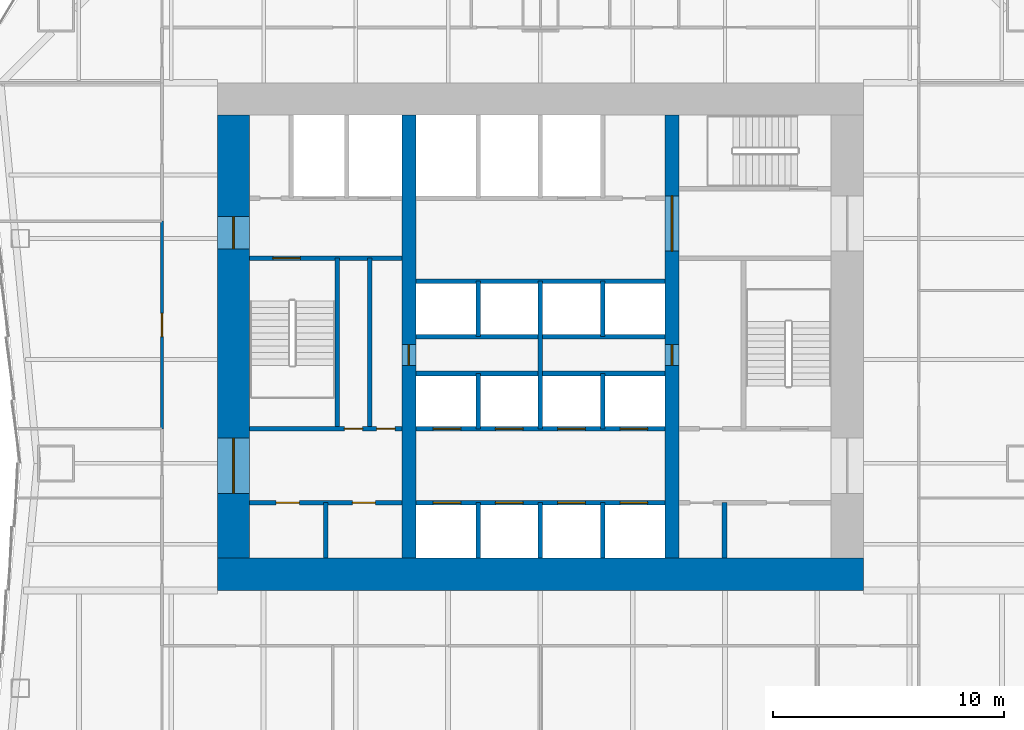
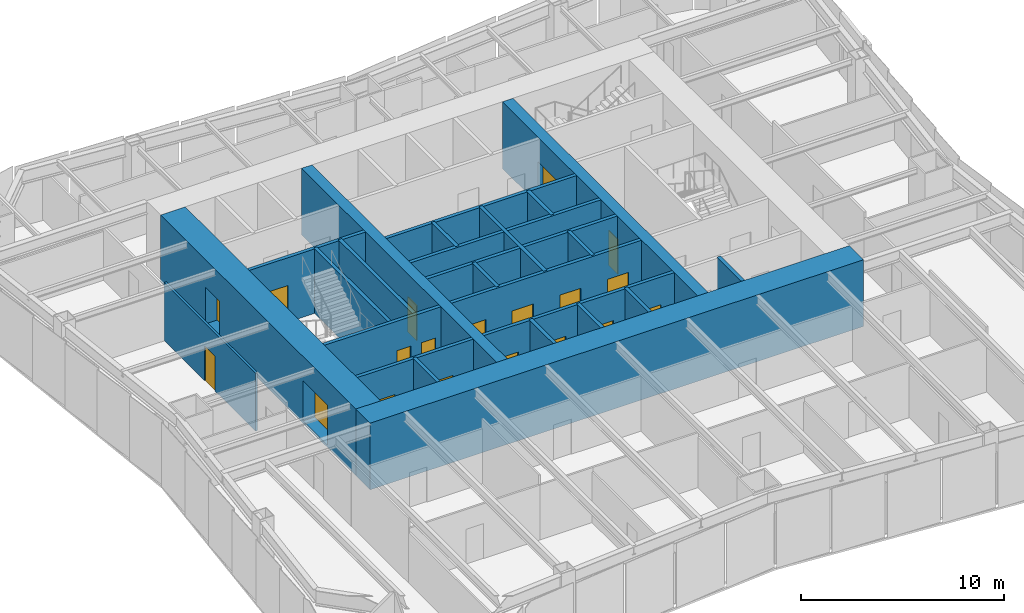
# One storey, part 4 of 8: 25 walls, 19 doors, 19 openings.
"""IFC4 building model written with IfcOpenShell, lengths in metres."""

from ifc_helpers import new_model, si_unit, direction, frame, frame_2d, origin, place, context, subcontext, project, spatial, rectangle, extrude, material, layer, layer_set, type_object, element, fill, save


model = new_model("IFC4")

# Units and contexts
model_context = context("Model", 3, precision=1e-05, world=origin(), true_north=direction((0.0, 1.0)))
body_context = subcontext(model_context, "Body", "Model", "MODEL_VIEW")
ifc_project = project(units=[si_unit("LENGTHUNIT", "METRE"), si_unit("AREAUNIT", "SQUARE_METRE"), si_unit("VOLUMEUNIT", "CUBIC_METRE"), si_unit("PLANEANGLEUNIT", "RADIAN"), si_unit("MASSUNIT", "GRAM", prefix="KILO")], contexts=[model_context])

# Site, building, storey
site_placement = place(None, origin())
site = spatial("IfcSite", under=ifc_project, at=site_placement, CompositionType="ELEMENT")
building_placement = place(site_placement, origin())
building = spatial("IfcBuilding", under=site, at=building_placement, Name="Verdant Reach Tower", CompositionType="ELEMENT")
storey_placement = place(building_placement, frame((0.0, 0.0, 18.0)))
storey = spatial("IfcBuildingStorey", under=building, at=storey_placement, Name="L03", CompositionType="ELEMENT", Elevation=18.0)

# Wall, openings, doors
ifc_material_1 = material(Name="Gypsum board on steel studs", Category="steel")
ifc_layer_1 = layer(ifc_material_1, 0.199951171875)
ifc_layer_set_1 = layer_set([ifc_layer_1], Name="CO-WALL-ROOM")
wall_type_1 = type_object("IfcWallType", Name="CO-WALL-ROOM", PredefinedType="PARTITIONING", material=ifc_layer_set_1)
wall_1_placement = place(storey_placement, frame((-12.60009765625, 20.800048828125, 0.0), z_axis=(0.0, 0.0, 1.0), x_axis=(1.0, 0.0, 0.0)))
wall_1 = element("IfcWall", 1, at=wall_1_placement, inside=storey, type_object=wall_type_1, Name="Core partition, L03", PredefinedType="PARTITIONING", context=body_context, shape_type="SweptSolid", body=[
    extrude(rectangle(XDim=6.60009765625, YDim=0.199951171875, at=frame_2d((3.300048828125, 0.0))), origin(), (0.0, 0.0, 1.0), 3.8701171875),
])
opening_1_placement = place(wall_1_placement, frame((1.14990234375, 0.0, 0.0)))
opening_1 = element("IfcOpeningElement", 2, at=opening_1_placement, cuts=wall_1, Name="Opening CD", PredefinedType="OPENING", context=body_context, shape_type="SweptSolid", body=[
    extrude(rectangle(XDim=1.0, YDim=2.10009765625, at=frame_2d((0.5, 1.050048828125))), frame((0.0, 0.10986328125, 0.0), z_axis=(0.0, -1.0, 0.0), x_axis=(1.0, 0.0, 0.0)), (0.0, 0.0, 1.0), 0.219970703125),
])
opening_2_placement = place(wall_1_placement, frame((4.449951171875, 0.0, 0.0)))
opening_2 = element("IfcOpeningElement", 3, at=opening_2_placement, cuts=wall_1, Name="Opening CD", PredefinedType="OPENING", context=body_context, shape_type="SweptSolid", body=[
    extrude(rectangle(XDim=1.0, YDim=2.10009765625, at=frame_2d((0.5, 1.050048828125))), frame((0.0, 0.10986328125, 0.0), z_axis=(0.0, -1.0, 0.0), x_axis=(1.0, 0.0, 0.0)), (0.0, 0.0, 1.0), 0.219970703125),
])
ifc_material_2 = material(Name="Timber", Category="wood")
door_type_1 = type_object("IfcDoorType", Name="CO-DOOR-ROOM", OperationType="NOTDEFINED", PredefinedType="DOOR", material=ifc_material_2)
door_1_placement = place(opening_1_placement, origin())
door_1 = element("IfcDoor", 4, at=door_1_placement, inside=storey, type_object=door_type_1, Name="Core room door, L03", OperationType="SINGLE_SWING_LEFT", OverallHeight=2.10009765625, OverallWidth=1.0, PredefinedType="DOOR", context=body_context, shape_type="SweptSolid", body=[
    extrude(rectangle(XDim=1.0, YDim=2.10009765625, at=frame_2d((0.5, 1.050048828125))), frame((0.0, 0.02490234375, 0.0), z_axis=(0.0, -1.0, 0.0), x_axis=(1.0, 0.0, 0.0)), (0.0, 0.0, 1.0), 0.050048828125),
])
fill(opening_1, door_1)
door_2_placement = place(opening_2_placement, origin())
door_2 = element("IfcDoor", 5, at=door_2_placement, inside=storey, type_object=door_type_1, Name="Core room door, L03", OperationType="SINGLE_SWING_LEFT", OverallHeight=2.10009765625, OverallWidth=1.0, PredefinedType="DOOR", context=body_context, shape_type="SweptSolid", body=[
    extrude(rectangle(XDim=1.0, YDim=2.10009765625, at=frame_2d((0.5, 1.050048828125))), frame((0.0, 0.02490234375, 0.0), z_axis=(0.0, -1.0, 0.0), x_axis=(1.0, 0.0, 0.0)), (0.0, 0.0, 1.0), 0.050048828125),
])
fill(opening_2, door_2)

# Walls
wall_2_placement = place(storey_placement, frame((-9.300048828125, 18.39990234375, 0.0), z_axis=(0.0, 0.0, 1.0), x_axis=(0.0, 1.0, 0.0)))
element("IfcWall", 6, at=wall_2_placement, inside=storey, type_object=wall_type_1, Name="Core partition, L03", PredefinedType="PARTITIONING", context=body_context, shape_type="SweptSolid", body=[
    extrude(rectangle(XDim=2.400146484375, YDim=0.199951171875, at=frame_2d((1.2001953125, 0.0))), origin(), (0.0, 0.0, 1.0), 3.8701171875),
])
wall_3_placement = place(storey_placement, frame((-7.39990234375, 24.0, 0.0), z_axis=(0.0, 0.0, 1.0), x_axis=(0.0, 1.0, 0.0)))
element("IfcWall", 7, at=wall_3_placement, inside=storey, type_object=wall_type_1, Name="Core partition, L03", PredefinedType="PARTITIONING", context=body_context, shape_type="SweptSolid", body=[
    extrude(rectangle(XDim=7.39990234375, YDim=0.199951171875, at=frame_2d((3.699951171875, 0.0))), origin(), (0.0, 0.0, 1.0), 3.8701171875),
])
wall_4_placement = place(storey_placement, frame((7.97998046875, 18.39990234375, 0.0), z_axis=(0.0, 0.0, 1.0), x_axis=(0.0, 1.0, 0.0)))
element("IfcWall", 8, at=wall_4_placement, inside=storey, type_object=wall_type_1, Name="Core partition, L03", PredefinedType="PARTITIONING", context=body_context, shape_type="SweptSolid", body=[
    extrude(rectangle(XDim=2.400146484375, YDim=0.199951171875, at=frame_2d((1.2001953125, 0.0))), origin(), (0.0, 0.0, 1.0), 3.8701171875),
])

# Wall, openings, doors
ifc_material_3 = material(Name="Concrete C40/50", Category="concrete")
ifc_layer_2 = layer(ifc_material_3, 0.199951171875)
ifc_layer_set_2 = layer_set([ifc_layer_2], Name="CO-WALL-SHAFT")
wall_type_2 = type_object("IfcWallType", Name="CO-WALL-SHAFT", PredefinedType="PARTITIONING", material=ifc_layer_set_2)
wall_5_placement = place(storey_placement, frame((-5.39990234375, 20.800048828125, 0.0), z_axis=(0.0, 0.0, 1.0), x_axis=(1.0, 0.0, 0.0)))
wall_5 = element("IfcWall", 9, at=wall_5_placement, inside=storey, type_object=wall_type_2, Name="Lift shaft wall, L03", PredefinedType="PARTITIONING", context=body_context, shape_type="SweptSolid", body=[
    extrude(rectangle(XDim=10.7998046875, YDim=0.199951171875, at=frame_2d((5.39990234375, 0.0))), origin(), (0.0, 0.0, 1.0), 3.8701171875),
])
opening_3_placement = place(wall_5_placement, frame((0.75, 0.0, 0.0)))
opening_3 = element("IfcOpeningElement", 10, at=opening_3_placement, cuts=wall_5, Name="Opening LD-A1", PredefinedType="OPENING", context=body_context, shape_type="SweptSolid", body=[
    extrude(rectangle(XDim=1.199951171875, YDim=2.199951171875, at=frame_2d((0.60009765625, 1.10009765625))), frame((0.0, 0.10986328125, 0.0), z_axis=(0.0, -1.0, 0.0), x_axis=(1.0, 0.0, 0.0)), (0.0, 0.0, 1.0), 0.219970703125),
])
opening_4_placement = place(wall_5_placement, frame((3.449951171875, 0.0, 0.0)))
opening_4 = element("IfcOpeningElement", 11, at=opening_4_placement, cuts=wall_5, Name="Opening LD-A2", PredefinedType="OPENING", context=body_context, shape_type="SweptSolid", body=[
    extrude(rectangle(XDim=1.199951171875, YDim=2.199951171875, at=frame_2d((0.60009765625, 1.10009765625))), frame((0.0, 0.10986328125, 0.0), z_axis=(0.0, -1.0, 0.0), x_axis=(1.0, 0.0, 0.0)), (0.0, 0.0, 1.0), 0.219970703125),
])
opening_5_placement = place(wall_5_placement, frame((6.14990234375, 0.0, 0.0)))
opening_5 = element("IfcOpeningElement", 12, at=opening_5_placement, cuts=wall_5, Name="Opening LD-A3", PredefinedType="OPENING", context=body_context, shape_type="SweptSolid", body=[
    extrude(rectangle(XDim=1.199951171875, YDim=2.199951171875, at=frame_2d((0.60009765625, 1.10009765625))), frame((0.0, 0.10986328125, 0.0), z_axis=(0.0, -1.0, 0.0), x_axis=(1.0, 0.0, 0.0)), (0.0, 0.0, 1.0), 0.219970703125),
])
opening_6_placement = place(wall_5_placement, frame((8.85009765625, 0.0, 0.0)))
opening_6 = element("IfcOpeningElement", 13, at=opening_6_placement, cuts=wall_5, Name="Opening LD-A4", PredefinedType="OPENING", context=body_context, shape_type="SweptSolid", body=[
    extrude(rectangle(XDim=1.199951171875, YDim=2.199951171875, at=frame_2d((0.60009765625, 1.10009765625))), frame((0.0, 0.10986328125, 0.0), z_axis=(0.0, -1.0, 0.0), x_axis=(1.0, 0.0, 0.0)), (0.0, 0.0, 1.0), 0.219970703125),
])
ifc_material_4 = material(Name="Stainless steel", Category="steel")
door_type_2 = type_object("IfcDoorType", Name="CO-DOOR-LANDING", OperationType="SLIDING_TO_LEFT", PredefinedType="DOOR", material=ifc_material_4)
door_3_placement = place(opening_3_placement, origin())
door_3 = element("IfcDoor", 14, at=door_3_placement, inside=storey, type_object=door_type_2, Name="Landing door A1, L03", OperationType="SLIDING_TO_LEFT", OverallHeight=2.199951171875, OverallWidth=1.199951171875, PredefinedType="DOOR", context=body_context, shape_type="SweptSolid", body=[
    extrude(rectangle(XDim=1.199951171875, YDim=2.199951171875, at=frame_2d((0.60009765625, 1.10009765625))), frame((0.0, 0.02490234375, 0.0), z_axis=(0.0, -1.0, 0.0), x_axis=(1.0, 0.0, 0.0)), (0.0, 0.0, 1.0), 0.050048828125),
])
fill(opening_3, door_3)
door_4_placement = place(opening_4_placement, origin())
door_4 = element("IfcDoor", 15, at=door_4_placement, inside=storey, type_object=door_type_2, Name="Landing door A2, L03", OperationType="SLIDING_TO_LEFT", OverallHeight=2.199951171875, OverallWidth=1.199951171875, PredefinedType="DOOR", context=body_context, shape_type="SweptSolid", body=[
    extrude(rectangle(XDim=1.199951171875, YDim=2.199951171875, at=frame_2d((0.60009765625, 1.10009765625))), frame((0.0, 0.02490234375, 0.0), z_axis=(0.0, -1.0, 0.0), x_axis=(1.0, 0.0, 0.0)), (0.0, 0.0, 1.0), 0.050048828125),
])
fill(opening_4, door_4)
door_5_placement = place(opening_5_placement, origin())
door_5 = element("IfcDoor", 16, at=door_5_placement, inside=storey, type_object=door_type_2, Name="Landing door A3, L03", OperationType="SLIDING_TO_LEFT", OverallHeight=2.199951171875, OverallWidth=1.199951171875, PredefinedType="DOOR", context=body_context, shape_type="SweptSolid", body=[
    extrude(rectangle(XDim=1.199951171875, YDim=2.199951171875, at=frame_2d((0.60009765625, 1.10009765625))), frame((0.0, 0.02490234375, 0.0), z_axis=(0.0, -1.0, 0.0), x_axis=(1.0, 0.0, 0.0)), (0.0, 0.0, 1.0), 0.050048828125),
])
fill(opening_5, door_5)
door_6_placement = place(opening_6_placement, origin())
door_6 = element("IfcDoor", 17, at=door_6_placement, inside=storey, type_object=door_type_2, Name="Landing door A4, L03", OperationType="SLIDING_TO_LEFT", OverallHeight=2.199951171875, OverallWidth=1.199951171875, PredefinedType="DOOR", context=body_context, shape_type="SweptSolid", body=[
    extrude(rectangle(XDim=1.199951171875, YDim=2.199951171875, at=frame_2d((0.60009765625, 1.10009765625))), frame((0.0, 0.02490234375, 0.0), z_axis=(0.0, -1.0, 0.0), x_axis=(1.0, 0.0, 0.0)), (0.0, 0.0, 1.0), 0.050048828125),
])
fill(opening_6, door_6)

wall_6_placement = place(storey_placement, frame((-5.39990234375, 24.0, 0.0), z_axis=(0.0, 0.0, 1.0), x_axis=(1.0, 0.0, 0.0)))
wall_6 = element("IfcWall", 18, at=wall_6_placement, inside=storey, type_object=wall_type_2, Name="Lift shaft wall, L03", PredefinedType="PARTITIONING", context=body_context, shape_type="SweptSolid", body=[
    extrude(rectangle(XDim=10.7998046875, YDim=0.199951171875, at=frame_2d((5.39990234375, 0.0))), origin(), (0.0, 0.0, 1.0), 3.8701171875),
])
opening_7_placement = place(wall_6_placement, frame((0.75, 0.0, 0.0)))
opening_7 = element("IfcOpeningElement", 19, at=opening_7_placement, cuts=wall_6, Name="Opening LD-A5", PredefinedType="OPENING", context=body_context, shape_type="SweptSolid", body=[
    extrude(rectangle(XDim=1.199951171875, YDim=2.199951171875, at=frame_2d((0.60009765625, 1.10009765625))), frame((0.0, 0.10986328125, 0.0), z_axis=(0.0, -1.0, 0.0), x_axis=(1.0, 0.0, 0.0)), (0.0, 0.0, 1.0), 0.219970703125),
])
opening_8_placement = place(wall_6_placement, frame((3.449951171875, 0.0, 0.0)))
opening_8 = element("IfcOpeningElement", 20, at=opening_8_placement, cuts=wall_6, Name="Opening LD-A6", PredefinedType="OPENING", context=body_context, shape_type="SweptSolid", body=[
    extrude(rectangle(XDim=1.199951171875, YDim=2.199951171875, at=frame_2d((0.60009765625, 1.10009765625))), frame((0.0, 0.10986328125, 0.0), z_axis=(0.0, -1.0, 0.0), x_axis=(1.0, 0.0, 0.0)), (0.0, 0.0, 1.0), 0.219970703125),
])
opening_9_placement = place(wall_6_placement, frame((6.14990234375, 0.0, 0.0)))
opening_9 = element("IfcOpeningElement", 21, at=opening_9_placement, cuts=wall_6, Name="Opening LD-A7", PredefinedType="OPENING", context=body_context, shape_type="SweptSolid", body=[
    extrude(rectangle(XDim=1.199951171875, YDim=2.199951171875, at=frame_2d((0.60009765625, 1.10009765625))), frame((0.0, 0.10986328125, 0.0), z_axis=(0.0, -1.0, 0.0), x_axis=(1.0, 0.0, 0.0)), (0.0, 0.0, 1.0), 0.219970703125),
])
opening_10_placement = place(wall_6_placement, frame((8.85009765625, 0.0, 0.0)))
opening_10 = element("IfcOpeningElement", 22, at=opening_10_placement, cuts=wall_6, Name="Opening LD-A8", PredefinedType="OPENING", context=body_context, shape_type="SweptSolid", body=[
    extrude(rectangle(XDim=1.199951171875, YDim=2.199951171875, at=frame_2d((0.60009765625, 1.10009765625))), frame((0.0, 0.10986328125, 0.0), z_axis=(0.0, -1.0, 0.0), x_axis=(1.0, 0.0, 0.0)), (0.0, 0.0, 1.0), 0.219970703125),
])
door_7_placement = place(opening_7_placement, origin())
door_7 = element("IfcDoor", 23, at=door_7_placement, inside=storey, type_object=door_type_2, Name="Landing door A5, L03", OperationType="SLIDING_TO_LEFT", OverallHeight=2.199951171875, OverallWidth=1.199951171875, PredefinedType="DOOR", context=body_context, shape_type="SweptSolid", body=[
    extrude(rectangle(XDim=1.199951171875, YDim=2.199951171875, at=frame_2d((0.60009765625, 1.10009765625))), frame((0.0, 0.02490234375, 0.0), z_axis=(0.0, -1.0, 0.0), x_axis=(1.0, 0.0, 0.0)), (0.0, 0.0, 1.0), 0.050048828125),
])
fill(opening_7, door_7)
door_8_placement = place(opening_8_placement, origin())
door_8 = element("IfcDoor", 24, at=door_8_placement, inside=storey, type_object=door_type_2, Name="Landing door A6, L03", OperationType="SLIDING_TO_LEFT", OverallHeight=2.199951171875, OverallWidth=1.199951171875, PredefinedType="DOOR", context=body_context, shape_type="SweptSolid", body=[
    extrude(rectangle(XDim=1.199951171875, YDim=2.199951171875, at=frame_2d((0.60009765625, 1.10009765625))), frame((0.0, 0.02490234375, 0.0), z_axis=(0.0, -1.0, 0.0), x_axis=(1.0, 0.0, 0.0)), (0.0, 0.0, 1.0), 0.050048828125),
])
fill(opening_8, door_8)
door_9_placement = place(opening_9_placement, origin())
door_9 = element("IfcDoor", 25, at=door_9_placement, inside=storey, type_object=door_type_2, Name="Landing door A7, L03", OperationType="SLIDING_TO_LEFT", OverallHeight=2.199951171875, OverallWidth=1.199951171875, PredefinedType="DOOR", context=body_context, shape_type="SweptSolid", body=[
    extrude(rectangle(XDim=1.199951171875, YDim=2.199951171875, at=frame_2d((0.60009765625, 1.10009765625))), frame((0.0, 0.02490234375, 0.0), z_axis=(0.0, -1.0, 0.0), x_axis=(1.0, 0.0, 0.0)), (0.0, 0.0, 1.0), 0.050048828125),
])
fill(opening_9, door_9)
door_10_placement = place(opening_10_placement, origin())
door_10 = element("IfcDoor", 26, at=door_10_placement, inside=storey, type_object=door_type_2, Name="Landing door A8, L03", OperationType="SLIDING_TO_LEFT", OverallHeight=2.199951171875, OverallWidth=1.199951171875, PredefinedType="DOOR", context=body_context, shape_type="SweptSolid", body=[
    extrude(rectangle(XDim=1.199951171875, YDim=2.199951171875, at=frame_2d((0.60009765625, 1.10009765625))), frame((0.0, 0.02490234375, 0.0), z_axis=(0.0, -1.0, 0.0), x_axis=(1.0, 0.0, 0.0)), (0.0, 0.0, 1.0), 0.050048828125),
])
fill(opening_10, door_10)

# Walls
for number, where, z_axis, x_axis, name in (
    (27, (-5.39990234375, 26.39990234375, 0.0), (0.0, 0.0, 1.0), (1.0, 0.0, 0.0), "Lift shaft wall, L03"),
    (28, (-5.39990234375, 28.0, 0.0), (0.0, 0.0, 1.0), (1.0, 0.0, 0.0), "Lift shaft wall, L03"),
    (29, (-5.39990234375, 30.39990234375, 0.0), (0.0, 0.0, 1.0), (1.0, 0.0, 0.0), "Lift shaft wall, L03"),
):
    element("IfcWall", number, at=place(storey_placement, frame(where, z_axis=z_axis, x_axis=x_axis)), inside=storey, type_object=wall_type_2, Name=name, PredefinedType="PARTITIONING", context=body_context, shape_type="SweptSolid", body=[
        extrude(rectangle(XDim=10.7998046875, YDim=0.199951171875, at=frame_2d((5.39990234375, 0.0))), origin(), (0.0, 0.0, 1.0), 3.8701171875),
    ])
wall_7_placement = place(storey_placement, frame((-2.699951171875, 18.39990234375, 0.0), z_axis=(0.0, 0.0, 1.0), x_axis=(0.0, 1.0, 0.0)))
element("IfcWall", 30, at=wall_7_placement, inside=storey, type_object=wall_type_2, Name="Lift shaft wall, L03", PredefinedType="PARTITIONING", context=body_context, shape_type="SweptSolid", body=[
    extrude(rectangle(XDim=2.400146484375, YDim=0.199951171875, at=frame_2d((1.2001953125, 0.0))), origin(), (0.0, 0.0, 1.0), 3.8701171875),
])
for number, where, z_axis, x_axis, name in (
    (31, (-2.699951171875, 24.0, 0.0), (0.0, 0.0, 1.0), (0.0, 1.0, 0.0), "Lift shaft wall, L03"),
    (32, (-2.699951171875, 28.0, 0.0), (0.0, 0.0, 1.0), (0.0, 1.0, 0.0), "Lift shaft wall, L03"),
):
    element("IfcWall", number, at=place(storey_placement, frame(where, z_axis=z_axis, x_axis=x_axis)), inside=storey, type_object=wall_type_2, Name=name, PredefinedType="PARTITIONING", context=body_context, shape_type="SweptSolid", body=[
        extrude(rectangle(XDim=2.39990234375, YDim=0.199951171875, at=frame_2d((1.199951171875, 0.0))), origin(), (0.0, 0.0, 1.0), 3.8701171875),
    ])
wall_8_placement = place(storey_placement, frame((0.0, 18.39990234375, 0.0), z_axis=(0.0, 0.0, 1.0), x_axis=(0.0, 1.0, 0.0)))
element("IfcWall", 33, at=wall_8_placement, inside=storey, type_object=wall_type_2, Name="Lift shaft wall, L03", PredefinedType="PARTITIONING", context=body_context, shape_type="SweptSolid", body=[
    extrude(rectangle(XDim=2.400146484375, YDim=0.199951171875, at=frame_2d((1.2001953125, 0.0))), origin(), (0.0, 0.0, 1.0), 3.8701171875),
])
wall_9_placement = place(storey_placement, frame((0.0, 24.0, 0.0), z_axis=(0.0, 0.0, 1.0), x_axis=(0.0, 1.0, 0.0)))
element("IfcWall", 34, at=wall_9_placement, inside=storey, type_object=wall_type_2, Name="Lift shaft wall, L03", PredefinedType="PARTITIONING", context=body_context, shape_type="SweptSolid", body=[
    extrude(rectangle(XDim=6.39990234375, YDim=0.199951171875, at=frame_2d((3.199951171875, 0.0))), origin(), (0.0, 0.0, 1.0), 3.8701171875),
])
wall_10_placement = place(storey_placement, frame((2.699951171875, 18.39990234375, 0.0), z_axis=(0.0, 0.0, 1.0), x_axis=(0.0, 1.0, 0.0)))
element("IfcWall", 35, at=wall_10_placement, inside=storey, type_object=wall_type_2, Name="Lift shaft wall, L03", PredefinedType="PARTITIONING", context=body_context, shape_type="SweptSolid", body=[
    extrude(rectangle(XDim=2.400146484375, YDim=0.199951171875, at=frame_2d((1.2001953125, 0.0))), origin(), (0.0, 0.0, 1.0), 3.8701171875),
])
for number, where, z_axis, x_axis, name in (
    (36, (2.699951171875, 24.0, 0.0), (0.0, 0.0, 1.0), (0.0, 1.0, 0.0), "Lift shaft wall, L03"),
    (37, (2.699951171875, 28.0, 0.0), (0.0, 0.0, 1.0), (0.0, 1.0, 0.0), "Lift shaft wall, L03"),
):
    element("IfcWall", number, at=place(storey_placement, frame(where, z_axis=z_axis, x_axis=x_axis)), inside=storey, type_object=wall_type_2, Name=name, PredefinedType="PARTITIONING", context=body_context, shape_type="SweptSolid", body=[
        extrude(rectangle(XDim=2.39990234375, YDim=0.199951171875, at=frame_2d((1.199951171875, 0.0))), origin(), (0.0, 0.0, 1.0), 3.8701171875),
    ])

# Wall, openings, doors
ifc_layer_3 = layer(ifc_material_3, 0.199951171875)
ifc_layer_set_3 = layer_set([ifc_layer_3], Name="CO-WALL-STAIR")
wall_type_3 = type_object("IfcWallType", Name="CO-WALL-STAIR", PredefinedType="PARTITIONING", material=ifc_layer_set_3)
wall_11_placement = place(storey_placement, frame((-12.60009765625, 24.0, 0.0), z_axis=(0.0, 0.0, 1.0), x_axis=(1.0, 0.0, 0.0)))
wall_11 = element("IfcWall", 38, at=wall_11_placement, inside=storey, type_object=wall_type_3, Name="Stair enclosure wall, L03", PredefinedType="PARTITIONING", context=body_context, shape_type="SweptSolid", body=[
    extrude(rectangle(XDim=6.60009765625, YDim=0.199951171875, at=frame_2d((3.300048828125, 0.0))), origin(), (0.0, 0.0, 1.0), 3.8701171875),
])
opening_11_placement = place(wall_11_placement, frame((4.10009765625, 0.0, 0.0)))
opening_11 = element("IfcOpeningElement", 39, at=opening_11_placement, cuts=wall_11, Name="Opening CDN", PredefinedType="OPENING", context=body_context, shape_type="SweptSolid", body=[
    extrude(rectangle(XDim=0.800048828125, YDim=2.10009765625, at=frame_2d((0.39990234375, 1.050048828125))), frame((0.0, 0.10986328125, 0.0), z_axis=(0.0, -1.0, 0.0), x_axis=(1.0, 0.0, 0.0)), (0.0, 0.0, 1.0), 0.219970703125),
])
opening_12_placement = place(wall_11_placement, frame((5.5, 0.0, 0.0)))
opening_12 = element("IfcOpeningElement", 40, at=opening_12_placement, cuts=wall_11, Name="Opening CDN", PredefinedType="OPENING", context=body_context, shape_type="SweptSolid", body=[
    extrude(rectangle(XDim=0.800048828125, YDim=2.10009765625, at=frame_2d((0.39990234375, 1.050048828125))), frame((0.0, 0.10986328125, 0.0), z_axis=(0.0, -1.0, 0.0), x_axis=(1.0, 0.0, 0.0)), (0.0, 0.0, 1.0), 0.219970703125),
])
door_type_3 = type_object("IfcDoorType", Name="CO-DOOR-ROOM-NARROW", OperationType="NOTDEFINED", PredefinedType="DOOR", material=ifc_material_2)
door_11_placement = place(opening_11_placement, origin())
door_11 = element("IfcDoor", 41, at=door_11_placement, inside=storey, type_object=door_type_3, Name="Core room door, L03", OperationType="SINGLE_SWING_LEFT", OverallHeight=2.10009765625, OverallWidth=0.800048828125, PredefinedType="DOOR", context=body_context, shape_type="SweptSolid", body=[
    extrude(rectangle(XDim=0.800048828125, YDim=2.10009765625, at=frame_2d((0.39990234375, 1.050048828125))), frame((0.0, 0.02490234375, 0.0), z_axis=(0.0, -1.0, 0.0), x_axis=(1.0, 0.0, 0.0)), (0.0, 0.0, 1.0), 0.050048828125),
])
fill(opening_11, door_11)
door_12_placement = place(opening_12_placement, origin())
door_12 = element("IfcDoor", 42, at=door_12_placement, inside=storey, type_object=door_type_3, Name="Core room door, L03", OperationType="SINGLE_SWING_RIGHT", OverallHeight=2.10009765625, OverallWidth=0.800048828125, PredefinedType="DOOR", context=body_context, shape_type="SweptSolid", body=[
    extrude(rectangle(XDim=0.800048828125, YDim=2.10009765625, at=frame_2d((0.39990234375, 1.050048828125))), frame((0.0, 0.02490234375, 0.0), z_axis=(0.0, -1.0, 0.0), x_axis=(1.0, 0.0, 0.0)), (0.0, 0.0, 1.0), 0.050048828125),
])
fill(opening_12, door_12)

# Wall, opening, door
wall_12_placement = place(storey_placement, frame((-12.60009765625, 31.39990234375, 0.0), z_axis=(0.0, 0.0, 1.0), x_axis=(1.0, 0.0, 0.0)))
wall_12 = element("IfcWall", 43, at=wall_12_placement, inside=storey, type_object=wall_type_3, Name="Stair enclosure wall, L03", PredefinedType="PARTITIONING", context=body_context, shape_type="SweptSolid", body=[
    extrude(rectangle(XDim=6.60009765625, YDim=0.199951171875, at=frame_2d((3.300048828125, 0.0))), origin(), (0.0, 0.0, 1.0), 3.8701171875),
])
opening_13_placement = place(wall_12_placement, frame((1.0, 0.0, 0.0)))
opening_13 = element("IfcOpeningElement", 44, at=opening_13_placement, cuts=wall_12, Name="Opening SD", PredefinedType="OPENING", context=body_context, shape_type="SweptSolid", body=[
    extrude(rectangle(XDim=1.199951171875, YDim=2.199951171875, at=frame_2d((0.60009765625, 1.10009765625))), frame((0.0, 0.10986328125, 0.0), z_axis=(0.0, -1.0, 0.0), x_axis=(1.0, 0.0, 0.0)), (0.0, 0.0, 1.0), 0.219970703125),
])
ifc_material_5 = material(Name="Steel", Category="steel")
door_type_4 = type_object("IfcDoorType", Name="CO-DOOR-STAIR", OperationType="NOTDEFINED", PredefinedType="DOOR", material=ifc_material_5)
door_13_placement = place(opening_13_placement, origin())
door_13 = element("IfcDoor", 45, at=door_13_placement, inside=storey, type_object=door_type_4, Name="Stair door, L03", OperationType="SINGLE_SWING_RIGHT", OverallHeight=2.199951171875, OverallWidth=1.199951171875, PredefinedType="DOOR", context=body_context, shape_type="SweptSolid", body=[
    extrude(rectangle(XDim=1.199951171875, YDim=2.199951171875, at=frame_2d((0.60009765625, 1.10009765625))), frame((0.0, 0.02490234375, 0.0), z_axis=(0.0, -1.0, 0.0), x_axis=(1.0, 0.0, 0.0)), (0.0, 0.0, 1.0), 0.050048828125),
])
fill(opening_13, door_13)

# Wall
wall_13_placement = place(storey_placement, frame((-8.800048828125, 24.0, 0.0), z_axis=(0.0, 0.0, 1.0), x_axis=(0.0, 1.0, 0.0)))
element("IfcWall", 46, at=wall_13_placement, inside=storey, type_object=wall_type_3, Name="Stair enclosure wall, L03", PredefinedType="PARTITIONING", context=body_context, shape_type="SweptSolid", body=[
    extrude(rectangle(XDim=7.39990234375, YDim=0.199951171875, at=frame_2d((3.699951171875, 0.0))), origin(), (0.0, 0.0, 1.0), 3.8701171875),
])

# Wall, opening, door
ifc_material_6 = material(Name="Gypsum board on steel studs, fire rated", Category="steel")
ifc_layer_4 = layer(ifc_material_6, 0.125)
ifc_layer_set_4 = layer_set([ifc_layer_4], Name="FL-W2 Corridor wall 125")
wall_type_4 = type_object("IfcWallType", Name="FL-W2 Corridor wall 125", PredefinedType="PARTITIONING", material=ifc_layer_set_4)
wall_14_placement = place(storey_placement, frame((-16.39990234375, 24.0, 0.0), z_axis=(0.0, 0.0, 1.0), x_axis=(0.0, 1.0, 0.0)))
wall_14 = element("IfcWall", 47, at=wall_14_placement, inside=storey, type_object=wall_type_4, Name="Partition 03.12", PredefinedType="PARTITIONING", context=body_context, shape_type="SweptSolid", body=[
    extrude(rectangle(XDim=9.0, YDim=0.125, at=frame_2d((4.5, 0.0))), origin(), (0.0, 0.0, 1.0), 3.47998046875),
])
opening_14_placement = place(wall_14_placement, frame((4.0, 0.0, 0.0)))
opening_14 = element("IfcOpeningElement", 48, at=opening_14_placement, cuts=wall_14, Name="Opening D2", PredefinedType="OPENING", context=body_context, shape_type="SweptSolid", body=[
    extrude(rectangle(XDim=1.0, YDim=2.10009765625, at=frame_2d((0.5, 1.050048828125))), frame((0.0, 0.072509765625, 0.0), z_axis=(0.0, -1.0, 0.0), x_axis=(1.0, 0.0, 0.0)), (0.0, 0.0, 1.0), 0.14501953125),
])
ifc_material_7 = material(Name="Timber door leaf, fire rated", Category="wood")
door_type_5 = type_object("IfcDoorType", Name="FL-D2 Entrance door 1000x2100 FD30", OperationType="NOTDEFINED", PredefinedType="DOOR", material=ifc_material_7)
door_14_placement = place(opening_14_placement, origin())
door_14 = element("IfcDoor", 49, at=door_14_placement, inside=storey, type_object=door_type_5, Name="Door 03-012", OperationType="SINGLE_SWING_RIGHT", OverallHeight=2.10009765625, OverallWidth=1.0, PredefinedType="DOOR", context=body_context, shape_type="SweptSolid", body=[
    extrude(rectangle(XDim=1.0, YDim=2.10009765625, at=frame_2d((0.5, 1.050048828125))), frame((0.0, 0.02490234375, 0.0), z_axis=(0.0, -1.0, 0.0), x_axis=(1.0, 0.0, 0.0)), (0.0, 0.0, 1.0), 0.050048828125),
])
fill(opening_14, door_14)

# Wall
ifc_material_8 = material(Name="Concrete C70/85", Category="concrete")
ifc_layer_5 = layer(ifc_material_8, 1.39990234375)
ifc_layer_set_5 = layer_set([ifc_layer_5], Name="ST-CORE-WALL-1400")
wall_type_5 = type_object("IfcWallType", Name="ST-CORE-WALL-1400", PredefinedType="SHEAR", material=ifc_layer_set_5)
wall_15_placement = place(storey_placement, frame((-14.0, 17.699951171875, -0.1298828125), z_axis=(0.0, 0.0, 1.0), x_axis=(1.0, 0.0, 0.0)))
element("IfcWall", 50, at=wall_15_placement, inside=storey, type_object=wall_type_5, Name="Core wall S, L03", PredefinedType="SHEAR", context=body_context, shape_type="SweptSolid", body=[
    extrude(rectangle(XDim=28.0, YDim=1.39990234375, at=frame_2d((14.0, 0.0))), origin(), (0.0, 0.0, 1.0), 4.0),
])

# Wall, openings, doors
wall_16_placement = place(storey_placement, frame((-13.300048828125, 18.39990234375, -0.1298828125), z_axis=(0.0, 0.0, 1.0), x_axis=(0.0, 1.0, 0.0)))
wall_16 = element("IfcWall", 51, at=wall_16_placement, inside=storey, type_object=wall_type_5, Name="Core wall W, L03", PredefinedType="SHEAR", context=body_context, shape_type="SweptSolid", body=[
    extrude(rectangle(XDim=19.2001953125, YDim=1.39990234375, at=frame_2d((9.60009765625, 0.0))), origin(), (0.0, 0.0, 1.0), 4.0),
])
opening_15_placement = place(wall_16_placement, frame((2.800048828125, 0.0, 0.1298828125)))
opening_15 = element("IfcOpeningElement", 52, at=opening_15_placement, cuts=wall_16, Name="Opening LB", PredefinedType="OPENING", context=body_context, shape_type="SweptSolid", body=[
    extrude(rectangle(XDim=2.39990234375, YDim=2.39990234375, at=frame_2d((1.199951171875, 1.199951171875))), frame((0.0, 0.7099609375, 0.0), z_axis=(0.0, -1.0, 0.0), x_axis=(1.0, 0.0, 0.0)), (0.0, 0.0, 1.0), 1.419921875),
])
opening_16_placement = place(wall_16_placement, frame((13.39990234375, 0.0, 0.1298828125)))
opening_16 = element("IfcOpeningElement", 53, at=opening_16_placement, cuts=wall_16, Name="Opening FL", PredefinedType="OPENING", context=body_context, shape_type="SweptSolid", body=[
    extrude(rectangle(XDim=1.39990234375, YDim=2.199951171875, at=frame_2d((0.699951171875, 1.10009765625))), frame((0.0, 0.7099609375, 0.0), z_axis=(0.0, -1.0, 0.0), x_axis=(1.0, 0.0, 0.0)), (0.0, 0.0, 1.0), 1.419921875),
])
door_type_6 = type_object("IfcDoorType", Name="CO-DOOR-FFL", OperationType="NOTDEFINED", PredefinedType="DOOR", material=ifc_material_5)
door_15_placement = place(opening_16_placement, origin())
door_15 = element("IfcDoor", 54, at=door_15_placement, inside=storey, type_object=door_type_6, Name="Core entrance door, L03", OperationType="SINGLE_SWING_RIGHT", OverallHeight=2.199951171875, OverallWidth=1.39990234375, PredefinedType="DOOR", context=body_context, shape_type="SweptSolid", body=[
    extrude(rectangle(XDim=1.39990234375, YDim=2.199951171875, at=frame_2d((0.699951171875, 1.10009765625))), frame((0.0, 0.02490234375, 0.0), z_axis=(0.0, -1.0, 0.0), x_axis=(1.0, 0.0, 0.0)), (0.0, 0.0, 1.0), 0.050048828125),
])
fill(opening_16, door_15)
ifc_material_9 = material(Name="Glass and steel", Category="steel")
door_type_7 = type_object("IfcDoorType", Name="CO-DOOR-LOBBY", OperationType="DOUBLE_DOOR_SINGLE_SWING", PredefinedType="DOOR", material=ifc_material_9)
door_16_placement = place(opening_15_placement, origin())
door_16 = element("IfcDoor", 55, at=door_16_placement, inside=storey, type_object=door_type_7, Name="Core entrance door, L03", OperationType="DOUBLE_DOOR_SINGLE_SWING", OverallHeight=2.39990234375, OverallWidth=2.39990234375, PredefinedType="DOOR", context=body_context, shape_type="SweptSolid", body=[
    extrude(rectangle(XDim=2.39990234375, YDim=2.39990234375, at=frame_2d((1.199951171875, 1.199951171875))), frame((0.0, 0.02490234375, 0.0), z_axis=(0.0, -1.0, 0.0), x_axis=(1.0, 0.0, 0.0)), (0.0, 0.0, 1.0), 0.050048828125),
])
fill(opening_15, door_16)

# Wall, opening, door
ifc_layer_6 = layer(ifc_material_8, 0.60009765625)
ifc_layer_set_6 = layer_set([ifc_layer_6], Name="ST-CORE-WALL-600")
wall_type_6 = type_object("IfcWallType", Name="ST-CORE-WALL-600", PredefinedType="SHEAR", material=ifc_layer_set_6)
wall_17_placement = place(storey_placement, frame((-5.699951171875, 18.39990234375, -0.1298828125), z_axis=(0.0, 0.0, 1.0), x_axis=(0.0, 1.0, 0.0)))
wall_17 = element("IfcWall", 56, at=wall_17_placement, inside=storey, type_object=wall_type_6, Name="Core wall XW, L03", PredefinedType="SHEAR", context=body_context, shape_type="SweptSolid", body=[
    extrude(rectangle(XDim=19.2001953125, YDim=0.60009765625, at=frame_2d((9.60009765625, 0.0))), origin(), (0.0, 0.0, 1.0), 4.0),
])
opening_17_placement = place(wall_17_placement, frame((8.35009765625, 0.0, 0.1298828125)))
opening_17 = element("IfcOpeningElement", 57, at=opening_17_placement, cuts=wall_17, Name="Opening RD", PredefinedType="OPENING", context=body_context, shape_type="SweptSolid", body=[
    extrude(rectangle(XDim=0.89990234375, YDim=2.10009765625, at=frame_2d((0.449951171875, 1.050048828125))), frame((0.0, 0.31005859375, 0.0), z_axis=(0.0, -1.0, 0.0), x_axis=(1.0, 0.0, 0.0)), (0.0, 0.0, 1.0), 0.6201171875),
])
door_type_8 = type_object("IfcDoorType", Name="CO-DOOR-RISER", OperationType="NOTDEFINED", PredefinedType="DOOR", material=ifc_material_5)
door_17_placement = place(opening_17_placement, origin())
door_17 = element("IfcDoor", 58, at=door_17_placement, inside=storey, type_object=door_type_8, Name="Riser door, L03", OperationType="SINGLE_SWING_LEFT", OverallHeight=2.10009765625, OverallWidth=0.89990234375, PredefinedType="DOOR", context=body_context, shape_type="SweptSolid", body=[
    extrude(rectangle(XDim=0.89990234375, YDim=2.10009765625, at=frame_2d((0.449951171875, 1.050048828125))), frame((0.0, 0.02490234375, 0.0), z_axis=(0.0, -1.0, 0.0), x_axis=(1.0, 0.0, 0.0)), (0.0, 0.0, 1.0), 0.050048828125),
])
fill(opening_17, door_17)

# Wall, openings, doors
wall_18_placement = place(storey_placement, frame((5.699951171875, 18.39990234375, -0.1298828125), z_axis=(0.0, 0.0, 1.0), x_axis=(0.0, 1.0, 0.0)))
wall_18 = element("IfcWall", 59, at=wall_18_placement, inside=storey, type_object=wall_type_6, Name="Core wall XE, L03", PredefinedType="SHEAR", context=body_context, shape_type="SweptSolid", body=[
    extrude(rectangle(XDim=19.2001953125, YDim=0.60009765625, at=frame_2d((9.60009765625, 0.0))), origin(), (0.0, 0.0, 1.0), 4.0),
])
opening_18_placement = place(wall_18_placement, frame((8.35009765625, 0.0, 0.1298828125)))
opening_18 = element("IfcOpeningElement", 60, at=opening_18_placement, cuts=wall_18, Name="Opening RD", PredefinedType="OPENING", context=body_context, shape_type="SweptSolid", body=[
    extrude(rectangle(XDim=0.89990234375, YDim=2.10009765625, at=frame_2d((0.449951171875, 1.050048828125))), frame((0.0, 0.31005859375, 0.0), z_axis=(0.0, -1.0, 0.0), x_axis=(1.0, 0.0, 0.0)), (0.0, 0.0, 1.0), 0.6201171875),
])
opening_19_placement = place(wall_18_placement, frame((13.300048828125, 0.0, 0.1298828125)))
opening_19 = element("IfcOpeningElement", 61, at=opening_19_placement, cuts=wall_18, Name="Opening LB", PredefinedType="OPENING", context=body_context, shape_type="SweptSolid", body=[
    extrude(rectangle(XDim=2.39990234375, YDim=2.39990234375, at=frame_2d((1.199951171875, 1.199951171875))), frame((0.0, 0.31005859375, 0.0), z_axis=(0.0, -1.0, 0.0), x_axis=(1.0, 0.0, 0.0)), (0.0, 0.0, 1.0), 0.6201171875),
])
door_18_placement = place(opening_19_placement, origin())
door_18 = element("IfcDoor", 62, at=door_18_placement, inside=storey, type_object=door_type_7, Name="Core entrance door, L03", OperationType="DOUBLE_DOOR_SINGLE_SWING", OverallHeight=2.39990234375, OverallWidth=2.39990234375, PredefinedType="DOOR", context=body_context, shape_type="SweptSolid", body=[
    extrude(rectangle(XDim=2.39990234375, YDim=2.39990234375, at=frame_2d((1.199951171875, 1.199951171875))), frame((0.0, 0.02490234375, 0.0), z_axis=(0.0, -1.0, 0.0), x_axis=(1.0, 0.0, 0.0)), (0.0, 0.0, 1.0), 0.050048828125),
])
fill(opening_19, door_18)
door_19_placement = place(opening_18_placement, origin())
door_19 = element("IfcDoor", 63, at=door_19_placement, inside=storey, type_object=door_type_8, Name="Riser door, L03", OperationType="SINGLE_SWING_RIGHT", OverallHeight=2.10009765625, OverallWidth=0.89990234375, PredefinedType="DOOR", context=body_context, shape_type="SweptSolid", body=[
    extrude(rectangle(XDim=0.89990234375, YDim=2.10009765625, at=frame_2d((0.449951171875, 1.050048828125))), frame((0.0, 0.02490234375, 0.0), z_axis=(0.0, -1.0, 0.0), x_axis=(1.0, 0.0, 0.0)), (0.0, 0.0, 1.0), 0.050048828125),
])
fill(opening_18, door_19)

save(model, "model.ifc")
